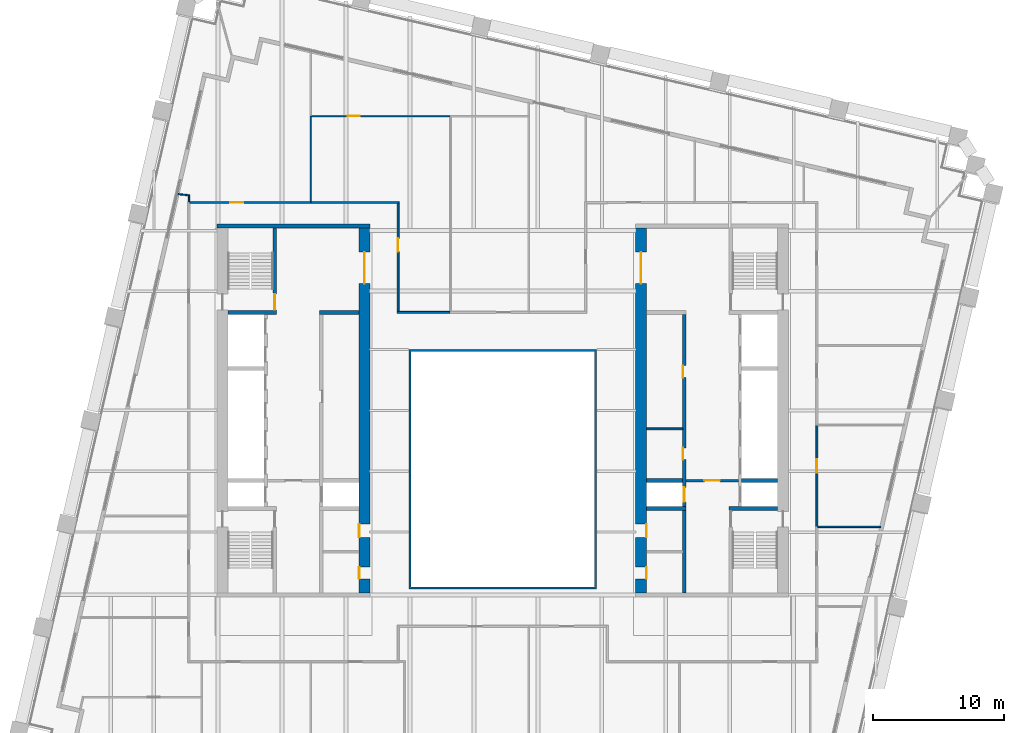
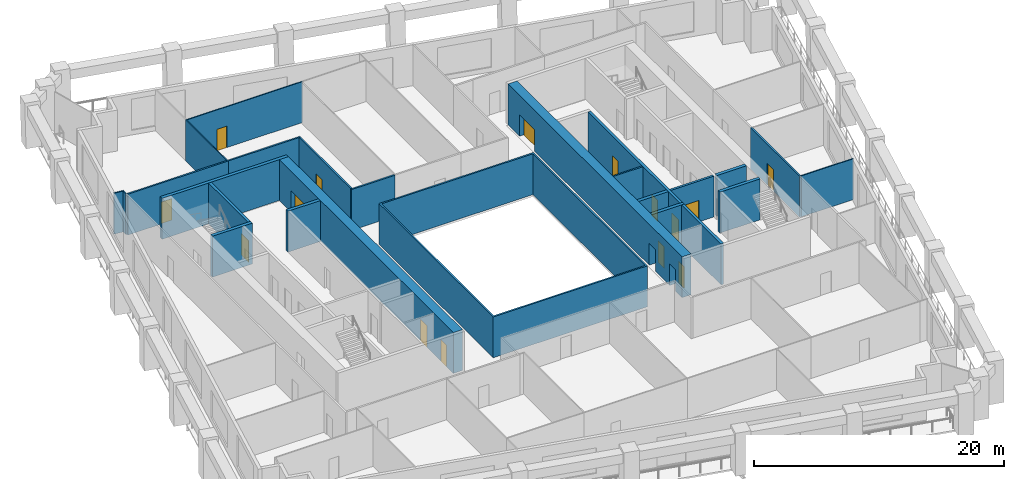
# One storey, part 6 of 9: 24 walls, 15 doors, 15 openings.
"""IFC4 building model written with IfcOpenShell, lengths in metres."""

from ifc_helpers import new_model, si_unit, direction, frame, frame_2d, origin, place, context, subcontext, project, spatial, polyline, rectangle, outline, extrude, material, layer, layer_set, type_object, element, fill, save


model = new_model("IFC4")

# Units and contexts
model_context = context("Model", 3, precision=1e-05, world=origin(), true_north=direction((0.0, 1.0)))
body_context = subcontext(model_context, "Body", "Model", "MODEL_VIEW")
ifc_project = project(units=[si_unit("LENGTHUNIT", "METRE"), si_unit("AREAUNIT", "SQUARE_METRE"), si_unit("VOLUMEUNIT", "CUBIC_METRE"), si_unit("PLANEANGLEUNIT", "RADIAN"), si_unit("MASSUNIT", "GRAM", prefix="KILO")], contexts=[model_context])

# Site, building, storey
site_placement = place(None, origin())
site = spatial("IfcSite", under=ifc_project, at=site_placement, CompositionType="ELEMENT")
building_placement = place(site_placement, origin())
building = spatial("IfcBuilding", under=site, at=building_placement, Name="Ogive Exchange Tower", CompositionType="ELEMENT")
storey_placement = place(building_placement, frame((0.0, 0.0, 122.39990234375)))
storey = spatial("IfcBuildingStorey", under=building, at=storey_placement, Name="L26", CompositionType="ELEMENT", Elevation=122.39990234375)

# Walls
ifc_material_1 = material(Name="Gypsum board partition")
ifc_layer_1 = layer(ifc_material_1, 0.14990234375)
ifc_layer_set_1 = layer_set([ifc_layer_1], Name="Core room partition 150 gypsum")
wall_type_1 = type_object("IfcWallType", Name="Core room partition 150 gypsum", PredefinedType="PARTITIONING", material=ifc_layer_set_1)
wall_1_placement = place(storey_placement, frame((11.0, 10.10009765625, 0.0), z_axis=(0.0, 0.0, 1.0), x_axis=(1.0, 0.0, 0.0)))
element("IfcWall", 1, at=wall_1_placement, inside=storey, type_object=wall_type_1, Name="E row B bay partition 1-1", PredefinedType="PARTITIONING", context=body_context, shape_type="SweptSolid", body=[
    extrude(rectangle(XDim=2.75, YDim=0.14990234375, at=frame_2d((1.375, 0.0))), origin(), (0.0, 0.0, 1.0), 4.0),
])
ifc_layer_2 = layer(ifc_material_1, 0.300048828125)
ifc_layer_set_2 = layer_set([ifc_layer_2], Name="Core room partition 300 gypsum")
wall_type_2 = type_object("IfcWallType", Name="Core room partition 300 gypsum", PredefinedType="PARTITIONING", material=ifc_layer_set_2)
wall_2_placement = place(storey_placement, frame((-14.0, 19.0, 0.0), z_axis=(0.0, 0.0, 1.0), x_axis=(1.0, 0.0, 0.0)))
element("IfcWall", 2, at=wall_2_placement, inside=storey, type_object=wall_type_2, Name="W row B room end wall 7", PredefinedType="PARTITIONING", context=body_context, shape_type="SweptSolid", body=[
    extrude(rectangle(XDim=3.0, YDim=0.300048828125, at=frame_2d((1.5, 0.0))), origin(), (0.0, 0.0, 1.0), 4.0),
])

# Wall, opening, door
ifc_material_2 = material(Name="Fire partition EI 60 150")
ifc_layer_3 = layer(ifc_material_2, 0.14990234375)
ifc_layer_set_3 = layer_set([ifc_layer_3], Name="Fire partition EI 60 150")
wall_type_3 = type_object("IfcWallType", Name="Fire partition EI 60 150", PredefinedType="PARTITIONING", material=ifc_layer_set_3)
wall_3_placement = place(storey_placement, frame((-23.9150390625, 27.39990234375, 0.0), z_axis=(0.0, 0.0, 1.0), x_axis=(1.0, 0.0, 0.0)))
wall_3 = element("IfcWall", 3, at=wall_3_placement, inside=storey, type_object=wall_type_3, Name="L26-PWL-009", PredefinedType="PARTITIONING", context=body_context, shape_type="SweptSolid", body=[
    extrude(rectangle(XDim=9.294921875, YDim=0.14990234375, at=frame_2d((4.6474609375, 0.0))), origin(), (0.0, 0.0, 1.0), 4.0),
])
opening_1_placement = place(wall_3_placement, frame((3.094970703125, 0.0, 0.0)))
opening_1 = element("IfcOpeningElement", 4, at=opening_1_placement, cuts=wall_3, Name="Opening L26-I18", PredefinedType="OPENING", context=body_context, shape_type="SweptSolid", body=[
    extrude(rectangle(XDim=1.0, YDim=2.10009765625, at=frame_2d((0.5, 1.050048828125))), frame((0.0, 0.0849609375, 0.0), z_axis=(0.0, -1.0, 0.0), x_axis=(1.0, 0.0, 0.0)), (0.0, 0.0, 1.0), 0.169921875),
])
ifc_material_3 = material(Name="Fire door FD 30S 1000 x 2100")
door_type_1 = type_object("IfcDoorType", Name="Fire door FD 30S 1000 x 2100", OperationType="NOTDEFINED", PredefinedType="DOOR", material=ifc_material_3)
door_1_placement = place(opening_1_placement, origin())
door_1 = element("IfcDoor", 5, at=door_1_placement, inside=storey, type_object=door_type_1, Name="L26-IDR-018", ObjectType="DT3", OperationType="SINGLE_SWING_RIGHT", OverallHeight=2.10009765625, OverallWidth=1.0, PredefinedType="DOOR", context=body_context, shape_type="SweptSolid", body=[
    extrude(rectangle(XDim=1.0, YDim=2.10009765625, at=frame_2d((0.5, 1.050048828125))), frame((0.0, 0.02490234375, 0.0), z_axis=(0.0, -1.0, 0.0), x_axis=(1.0, 0.0, 0.0)), (0.0, 0.0, 1.0), 0.050048828125),
])
fill(opening_1, door_1)

# Walls
wall_4_placement = place(storey_placement, frame((-14.6201171875, 27.39990234375, 0.0), z_axis=(0.0, 0.0, 1.0), x_axis=(1.0, 0.0, 0.0)))
element("IfcWall", 6, at=wall_4_placement, inside=storey, type_object=wall_type_3, Name="L26-PWL-019", PredefinedType="PARTITIONING", context=body_context, shape_type="SweptSolid", body=[
    extrude(rectangle(XDim=6.695068359375, YDim=0.14990234375, at=frame_2d((3.34765625, 0.0))), origin(), (0.0, 0.0, 1.0), 4.0),
])
wall_5_placement = place(storey_placement, frame((-8.074951171875, 19.0, 0.0), z_axis=(0.0, 0.0, 1.0), x_axis=(1.0, 0.0, 0.0)))
element("IfcWall", 7, at=wall_5_placement, inside=storey, type_object=wall_type_3, Name="L26-PWL-022", PredefinedType="PARTITIONING", context=body_context, shape_type="SweptSolid", body=[
    extrude(rectangle(XDim=4.02490234375, YDim=0.14990234375, at=frame_2d((2.012451171875, 0.0))), origin(), (0.0, 0.0, 1.0), 4.0),
])

# Wall, opening, door
wall_6_placement = place(storey_placement, frame((-8.0, 27.324951171875, 0.0), z_axis=(0.0, 0.0, 1.0), x_axis=(0.0, -1.0, 0.0)))
wall_6 = element("IfcWall", 8, at=wall_6_placement, inside=storey, type_object=wall_type_3, Name="L26-PWL-023", PredefinedType="PARTITIONING", context=body_context, shape_type="SweptSolid", body=[
    extrude(rectangle(XDim=8.25, YDim=0.14990234375, at=frame_2d((4.125, 0.0))), origin(), (0.0, 0.0, 1.0), 4.0),
])
opening_2_placement = place(wall_6_placement, frame((2.675048828125, 0.0, 0.0)))
opening_2 = element("IfcOpeningElement", 9, at=opening_2_placement, cuts=wall_6, Name="Opening L26-I10", PredefinedType="OPENING", context=body_context, shape_type="SweptSolid", body=[
    extrude(rectangle(XDim=1.0, YDim=2.10009765625, at=frame_2d((0.5, 1.050048828125))), frame((0.0, 0.0849609375, 0.0), z_axis=(0.0, -1.0, 0.0), x_axis=(1.0, 0.0, 0.0)), (0.0, 0.0, 1.0), 0.169921875),
])
door_2_placement = place(opening_2_placement, origin())
door_2 = element("IfcDoor", 10, at=door_2_placement, inside=storey, type_object=door_type_1, Name="L26-IDR-010", ObjectType="DT3", OperationType="SINGLE_SWING_LEFT", OverallHeight=2.10009765625, OverallWidth=1.0, PredefinedType="DOOR", context=body_context, shape_type="SweptSolid", body=[
    extrude(rectangle(XDim=1.0, YDim=2.10009765625, at=frame_2d((0.5, 1.050048828125))), frame((0.0, 0.02490234375, 0.0), z_axis=(0.0, -1.0, 0.0), x_axis=(1.0, 0.0, 0.0)), (0.0, 0.0, 1.0), 0.050048828125),
])
fill(opening_2, door_2)

wall_7_placement = place(storey_placement, frame((24.0, 10.43994140625, 0.0), z_axis=(0.0, 0.0, 1.0), x_axis=(0.0, -1.0, 0.0)))
wall_7 = element("IfcWall", 11, at=wall_7_placement, inside=storey, type_object=wall_type_3, Name="L26-PWL-061", PredefinedType="PARTITIONING", context=body_context, shape_type="SweptSolid", body=[
    extrude(rectangle(XDim=7.829833984375, YDim=0.14990234375, at=frame_2d((3.9150390625, 0.0))), origin(), (0.0, 0.0, 1.0), 4.0),
])
opening_3_placement = place(wall_7_placement, frame((2.679931640625, 0.0, 0.0)))
opening_3 = element("IfcOpeningElement", 12, at=opening_3_placement, cuts=wall_7, Name="Opening L26-I13", PredefinedType="OPENING", context=body_context, shape_type="SweptSolid", body=[
    extrude(rectangle(XDim=1.0, YDim=2.10009765625, at=frame_2d((0.5, 1.050048828125))), frame((0.0, 0.0849609375, 0.0), z_axis=(0.0, -1.0, 0.0), x_axis=(1.0, 0.0, 0.0)), (0.0, 0.0, 1.0), 0.169921875),
])
door_3_placement = place(opening_3_placement, origin())
door_3 = element("IfcDoor", 13, at=door_3_placement, inside=storey, type_object=door_type_1, Name="L26-IDR-013", ObjectType="DT3", OperationType="SINGLE_SWING_RIGHT", OverallHeight=2.10009765625, OverallWidth=1.0, PredefinedType="DOOR", context=body_context, shape_type="SweptSolid", body=[
    extrude(rectangle(XDim=1.0, YDim=2.10009765625, at=frame_2d((0.5, 1.050048828125))), frame((0.0, 0.02490234375, 0.0), z_axis=(0.0, -1.0, 0.0), x_axis=(1.0, 0.0, 0.0)), (0.0, 0.0, 1.0), 0.050048828125),
])
fill(opening_3, door_3)

# Walls
ifc_material_4 = material(Name="Fire-resisting glass in steel frame", Category="steel")
ifc_layer_4 = layer(ifc_material_4, 0.14990234375)
ifc_layer_set_4 = layer_set([ifc_layer_4], Name="Fire-rated glazed wall 150")
wall_type_4 = type_object("IfcWallType", Name="Fire-rated glazed wall 150", PredefinedType="STANDARD", material=ifc_layer_set_4)
wall_8_placement = place(storey_placement, origin())
element("IfcWall", 14, at=wall_8_placement, inside=storey, type_object=wall_type_4, Name="Nave enclosure wall", PredefinedType="STANDARD", context=body_context, shape_type="SweptSolid", body=[
    extrude(outline(polyline([(-7.14990234375, -2.14990234375), (7.14990234375, -2.14990234375), (7.14990234375, 16.14990234375), (-7.14990234375, 16.14990234375), (-7.14990234375, -2.14990234375)]), holes=[polyline([(-7.0, -2.0), (-7.0, 16.0), (7.0, 16.0), (7.0, -2.0), (-7.0, -2.0)])]), origin(), (0.0, 0.0, 1.0), 4.0),
])
ifc_material_5 = material(Name="Partition 100 gypsum")
ifc_layer_5 = layer(ifc_material_5, 0.10009765625)
ifc_layer_set_5 = layer_set([ifc_layer_5], Name="Partition 100 gypsum")
wall_type_5 = type_object("IfcWallType", Name="Partition 100 gypsum", PredefinedType="PARTITIONING", material=ifc_layer_set_5)
wall_9_placement = place(storey_placement, frame((-24.820068359375, 28.044921875, 0.0), z_axis=(0.0, 0.0, 1.0), x_axis=(0.993501545499, -0.113818623659, 0.0)))
element("IfcWall", 15, at=wall_9_placement, inside=storey, type_object=wall_type_5, Name="L26-PWL-002", PredefinedType="PARTITIONING", context=body_context, shape_type="SweptSolid", body=[
    extrude(rectangle(XDim=0.885986328125, YDim=0.10009765625, at=frame_2d((0.44287109375, 0.0))), origin(), (0.0, 0.0, 1.0), 4.0),
])
wall_10_placement = place(storey_placement, frame((-23.989990234375, 27.47509765625, 0.0), z_axis=(0.0, 0.0, 1.0), x_axis=(0.0, 1.0, 0.0)))
element("IfcWall", 16, at=wall_10_placement, inside=storey, type_object=wall_type_5, Name="L26-PWL-008", PredefinedType="PARTITIONING", context=body_context, shape_type="SweptSolid", body=[
    extrude(rectangle(XDim=0.4248046875, YDim=0.10009765625, at=frame_2d((0.21240234375, 0.0))), origin(), (0.0, 0.0, 1.0), 4.0),
])
wall_11_placement = place(storey_placement, frame((-14.669921875, 27.47509765625, 0.0), z_axis=(0.0, 0.0, 1.0), x_axis=(0.0, 1.0, 0.0)))
element("IfcWall", 17, at=wall_11_placement, inside=storey, type_object=wall_type_5, Name="L26-PWL-018", PredefinedType="PARTITIONING", context=body_context, shape_type="SweptSolid", body=[
    extrude(rectangle(XDim=6.574951171875, YDim=0.10009765625, at=frame_2d((3.28759765625, 0.0))), origin(), (0.0, 0.0, 1.0), 4.0),
])

# Wall, opening, door
wall_12_placement = place(storey_placement, frame((-3.949951171875, 34.0, 0.0), z_axis=(0.0, 0.0, 1.0), x_axis=(-1.0, 0.0, 0.0)))
wall_12 = element("IfcWall", 18, at=wall_12_placement, inside=storey, type_object=wall_type_5, Name="L26-PWL-029", PredefinedType="PARTITIONING", context=body_context, shape_type="SweptSolid", body=[
    extrude(rectangle(XDim=10.670166015625, YDim=0.10009765625, at=frame_2d((5.3349609375, 0.0))), origin(), (0.0, 0.0, 1.0), 4.0),
])
opening_4_placement = place(wall_12_placement, frame((7.0, 0.0, 0.0)))
opening_4 = element("IfcOpeningElement", 19, at=opening_4_placement, cuts=wall_12, Name="Opening L26-I09", PredefinedType="OPENING", context=body_context, shape_type="SweptSolid", body=[
    extrude(rectangle(XDim=0.89990234375, YDim=2.10009765625, at=frame_2d((0.449951171875, 1.050048828125))), frame((0.0, 0.06005859375, 0.0), z_axis=(0.0, -1.0, 0.0), x_axis=(1.0, 0.0, 0.0)), (0.0, 0.0, 1.0), 0.1201171875),
])
ifc_material_6 = material(Name="Door 900 x 2100")
door_type_2 = type_object("IfcDoorType", Name="Door 900 x 2100", OperationType="NOTDEFINED", PredefinedType="DOOR", material=ifc_material_6)
door_4_placement = place(opening_4_placement, frame((0.89990234375, 0.0, 0.0), z_axis=(0.0, 0.0, 1.0), x_axis=(-1.0, 0.0, 0.0)))
door_4 = element("IfcDoor", 20, at=door_4_placement, inside=storey, type_object=door_type_2, Name="L26-IDR-009", ObjectType="DT1", OperationType="SINGLE_SWING_RIGHT", OverallHeight=2.10009765625, OverallWidth=0.89990234375, PredefinedType="DOOR", context=body_context, shape_type="SweptSolid", body=[
    extrude(rectangle(XDim=0.89990234375, YDim=2.10009765625, at=frame_2d((0.449951171875, 1.050048828125))), frame((0.0, 0.02490234375, 0.0), z_axis=(0.0, -1.0, 0.0), x_axis=(1.0, 0.0, 0.0)), (0.0, 0.0, 1.0), 0.050048828125),
])
fill(opening_4, door_4)

# Wall
wall_13_placement = place(storey_placement, frame((24.074951171875, 2.610107421875, 0.0), z_axis=(0.0, 0.0, 1.0), x_axis=(1.0, 0.0, 0.0)))
element("IfcWall", 21, at=wall_13_placement, inside=storey, type_object=wall_type_5, Name="L26-PWL-060", PredefinedType="PARTITIONING", context=body_context, shape_type="SweptSolid", body=[
    extrude(rectangle(XDim=4.821044921875, YDim=0.10009765625, at=frame_2d((2.41064453125, 0.0))), origin(), (0.0, 0.0, 1.0), 4.0),
])

# Wall, opening, door
ifc_material_7 = material(Name="Concrete C70/85", Category="concrete")
ifc_layer_6 = layer(ifc_material_7, 0.199951171875)
ifc_layer_set_6 = layer_set([ifc_layer_6], Name="RC core wall 200 C70/85")
wall_type_6 = type_object("IfcWallType", Name="RC core wall 200 C70/85", PredefinedType="SHEAR", material=ifc_layer_set_6)
wall_14_placement = place(storey_placement, frame((14.0, 6.142822265625, 0.0), z_axis=(0.0, 0.0, 1.0), x_axis=(1.0, 0.0, 0.0)))
wall_14 = element("IfcWall", 22, at=wall_14_placement, inside=storey, type_object=wall_type_6, Name="E firefighting lobby wall", PredefinedType="SHEAR", context=body_context, shape_type="SweptSolid", body=[
    extrude(rectangle(XDim=4.0, YDim=0.199951171875, at=frame_2d((2.0, 0.0))), origin(), (0.0, 0.0, 1.0), 4.0),
])
opening_5_placement = place(wall_14_placement, frame((1.39990234375, 0.0, 0.0)))
opening_5 = element("IfcOpeningElement", 23, at=opening_5_placement, cuts=wall_14, Name="Opening L26-C28", PredefinedType="OPENING", context=body_context, shape_type="SweptSolid", body=[
    extrude(rectangle(XDim=1.199951171875, YDim=2.10009765625, at=frame_2d((0.60009765625, 1.050048828125))), frame((0.0, 0.10986328125, 0.0), z_axis=(0.0, -1.0, 0.0), x_axis=(1.0, 0.0, 0.0)), (0.0, 0.0, 1.0), 0.219970703125),
])
ifc_material_8 = material(Name="Steel fire door", Category="steel")
door_type_3 = type_object("IfcDoorType", Name="Firefighting lobby door FD60 1200 x 2100", OperationType="NOTDEFINED", PredefinedType="DOOR", material=ifc_material_8)
door_5_placement = place(opening_5_placement, frame((1.199951171875, 0.0, 0.0), z_axis=(0.0, 0.0, 1.0), x_axis=(-1.0, 0.0, 0.0)))
door_5 = element("IfcDoor", 24, at=door_5_placement, inside=storey, type_object=door_type_3, Name="Firefighting lobby door", ObjectType="CD3", OperationType="SINGLE_SWING_LEFT", OverallHeight=2.10009765625, OverallWidth=1.199951171875, PredefinedType="DOOR", context=body_context, shape_type="SweptSolid", body=[
    extrude(rectangle(XDim=1.199951171875, YDim=2.10009765625, at=frame_2d((0.60009765625, 1.050048828125))), frame((0.0, 0.02490234375, 0.0), z_axis=(0.0, -1.0, 0.0), x_axis=(1.0, 0.0, 0.0)), (0.0, 0.0, 1.0), 0.050048828125),
])
fill(opening_5, door_5)

ifc_layer_7 = layer(ifc_material_7, 0.25)
ifc_layer_set_7 = layer_set([ifc_layer_7], Name="RC core wall 250 C70/85")
wall_type_7 = type_object("IfcWallType", Name="RC core wall 250 C70/85", PredefinedType="SHEAR", material=ifc_layer_set_7)
wall_15_placement = place(storey_placement, frame((-17.425048828125, 19.14990234375, 0.0), z_axis=(0.0, 0.0, 1.0), x_axis=(0.0, 1.0, 0.0)))
wall_15 = element("IfcWall", 25, at=wall_15_placement, inside=storey, type_object=wall_type_7, Name="W stair N front wall", PredefinedType="SHEAR", context=body_context, shape_type="SweptSolid", body=[
    extrude(rectangle(XDim=6.300048828125, YDim=0.25, at=frame_2d((3.14990234375, 0.0))), origin(), (0.0, 0.0, 1.0), 4.0),
])
opening_6_placement = place(wall_15_placement, frame((0.050048828125, 0.0, 0.0)))
opening_6 = element("IfcOpeningElement", 26, at=opening_6_placement, cuts=wall_15, Name="Opening L26-C14", PredefinedType="OPENING", context=body_context, shape_type="SweptSolid", body=[
    extrude(rectangle(XDim=1.199951171875, YDim=2.10009765625, at=frame_2d((0.60009765625, 1.050048828125))), frame((0.0, 0.135009765625, 0.0), z_axis=(0.0, -1.0, 0.0), x_axis=(1.0, 0.0, 0.0)), (0.0, 0.0, 1.0), 0.27001953125),
])
door_type_4 = type_object("IfcDoorType", Name="Stair door FD90 1200 x 2100", OperationType="NOTDEFINED", PredefinedType="DOOR", material=ifc_material_8)
door_6_placement = place(opening_6_placement, origin())
door_6 = element("IfcDoor", 27, at=door_6_placement, inside=storey, type_object=door_type_4, Name="Stair door", ObjectType="CD5", OperationType="SINGLE_SWING_RIGHT", OverallHeight=2.10009765625, OverallWidth=1.199951171875, PredefinedType="DOOR", context=body_context, shape_type="SweptSolid", body=[
    extrude(rectangle(XDim=1.199951171875, YDim=2.10009765625, at=frame_2d((0.60009765625, 1.050048828125))), frame((0.0, 0.02490234375, 0.0), z_axis=(0.0, -1.0, 0.0), x_axis=(1.0, 0.0, 0.0)), (0.0, 0.0, 1.0), 0.050048828125),
])
fill(opening_6, door_6)

# Wall, openings, doors
wall_16_placement = place(storey_placement, frame((13.875, -2.449951171875, 0.0), z_axis=(0.0, 0.0, 1.0), x_axis=(0.0, 1.0, 0.0)))
wall_16 = element("IfcWall", 28, at=wall_16_placement, inside=storey, type_object=wall_type_7, Name="E row B front wall", PredefinedType="SHEAR", context=body_context, shape_type="SweptSolid", body=[
    extrude(rectangle(XDim=21.300048828125, YDim=0.25, at=frame_2d((10.64990234375, 0.0))), origin(), (0.0, 0.0, 1.0), 4.0),
])
opening_7_placement = place(wall_16_placement, frame((10.1962890625, 0.0, 0.0)))
opening_7 = element("IfcOpeningElement", 29, at=opening_7_placement, cuts=wall_16, Name="Opening L26-C25", PredefinedType="OPENING", context=body_context, shape_type="SweptSolid", body=[
    extrude(rectangle(XDim=0.89990234375, YDim=2.10009765625, at=frame_2d((0.449951171875, 1.050048828125))), frame((0.0, 0.135009765625, 0.0), z_axis=(0.0, -1.0, 0.0), x_axis=(1.0, 0.0, 0.0)), (0.0, 0.0, 1.0), 0.27001953125),
])
opening_8_placement = place(wall_16_placement, frame((16.47509765625, 0.0, 0.0)))
opening_8 = element("IfcOpeningElement", 30, at=opening_8_placement, cuts=wall_16, Name="Opening L26-C26", PredefinedType="OPENING", context=body_context, shape_type="SweptSolid", body=[
    extrude(rectangle(XDim=0.89990234375, YDim=2.10009765625, at=frame_2d((0.449951171875, 1.050048828125))), frame((0.0, 0.135009765625, 0.0), z_axis=(0.0, -1.0, 0.0), x_axis=(1.0, 0.0, 0.0)), (0.0, 0.0, 1.0), 0.27001953125),
])
opening_9_placement = place(wall_16_placement, frame((6.971435546875, 0.0, 0.0)))
opening_9 = element("IfcOpeningElement", 31, at=opening_9_placement, cuts=wall_16, Name="Opening L26-C27", PredefinedType="OPENING", context=body_context, shape_type="SweptSolid", body=[
    extrude(rectangle(XDim=1.10009765625, YDim=2.10009765625, at=frame_2d((0.550048828125, 1.050048828125))), frame((0.0, 0.135009765625, 0.0), z_axis=(0.0, -1.0, 0.0), x_axis=(1.0, 0.0, 0.0)), (0.0, 0.0, 1.0), 0.27001953125),
])
ifc_material_9 = material(Name="Stainless steel", Category="steel")
door_type_5 = type_object("IfcDoorType", Name="Lift landing door FD90 1100 x 2100", OperationType="SLIDING_TO_LEFT", PredefinedType="DOOR", material=ifc_material_9)
door_7_placement = place(opening_9_placement, origin())
door_7 = element("IfcDoor", 32, at=door_7_placement, inside=storey, type_object=door_type_5, Name="Lift landing door SV2", ObjectType="LD", OperationType="SLIDING_TO_LEFT", OverallHeight=2.10009765625, OverallWidth=1.10009765625, PredefinedType="DOOR", context=body_context, shape_type="SweptSolid", body=[
    extrude(rectangle(XDim=1.10009765625, YDim=2.10009765625, at=frame_2d((0.550048828125, 1.050048828125))), frame((0.0, 0.02490234375, 0.0), z_axis=(0.0, -1.0, 0.0), x_axis=(1.0, 0.0, 0.0)), (0.0, 0.0, 1.0), 0.050048828125),
])
fill(opening_9, door_7)
door_type_6 = type_object("IfcDoorType", Name="Riser door FD60 900 x 2100", OperationType="NOTDEFINED", PredefinedType="DOOR", material=ifc_material_8)
door_8_placement = place(opening_7_placement, origin())
door_8 = element("IfcDoor", 33, at=door_8_placement, inside=storey, type_object=door_type_6, Name="Riser door", ObjectType="CD2", OperationType="SINGLE_SWING_LEFT", OverallHeight=2.10009765625, OverallWidth=0.89990234375, PredefinedType="DOOR", context=body_context, shape_type="SweptSolid", body=[
    extrude(rectangle(XDim=0.89990234375, YDim=2.10009765625, at=frame_2d((0.449951171875, 1.050048828125))), frame((0.0, 0.125, 0.0), z_axis=(0.0, -1.0, 0.0), x_axis=(1.0, 0.0, 0.0)), (0.0, 0.0, 1.0), 0.050048828125),
])
fill(opening_7, door_8)
door_9_placement = place(opening_8_placement, origin())
door_9 = element("IfcDoor", 34, at=door_9_placement, inside=storey, type_object=door_type_6, Name="Riser door", ObjectType="CD2", OperationType="SINGLE_SWING_LEFT", OverallHeight=2.10009765625, OverallWidth=0.89990234375, PredefinedType="DOOR", context=body_context, shape_type="SweptSolid", body=[
    extrude(rectangle(XDim=0.89990234375, YDim=2.10009765625, at=frame_2d((0.449951171875, 1.050048828125))), frame((0.0, 0.125, 0.0), z_axis=(0.0, -1.0, 0.0), x_axis=(1.0, 0.0, 0.0)), (0.0, 0.0, 1.0), 0.050048828125),
])
fill(opening_8, door_9)

# Walls
ifc_layer_8 = layer(ifc_material_7, 0.300048828125)
ifc_layer_set_8 = layer_set([ifc_layer_8], Name="RC core wall 300 C70/85")
wall_type_8 = type_object("IfcWallType", Name="RC core wall 300 C70/85", PredefinedType="SHEAR", material=ifc_layer_set_8)
wall_17_placement = place(storey_placement, frame((-21.85009765625, 25.60009765625, 0.0), z_axis=(0.0, 0.0, 1.0), x_axis=(1.0, 0.0, 0.0)))
element("IfcWall", 35, at=wall_17_placement, inside=storey, type_object=wall_type_8, Name="W north end wall", PredefinedType="SHEAR", context=body_context, shape_type="SweptSolid", body=[
    extrude(rectangle(XDim=11.7001953125, YDim=0.300048828125, at=frame_2d((5.85009765625, 0.0))), origin(), (0.0, 0.0, 1.0), 4.0),
])
for number, where, z_axis, x_axis, name in (
    (36, (-21.0, 19.0, 0.0), (0.0, 0.0, 1.0), (1.0, 0.0, 0.0), "W stair N south wall"),
    (37, (17.300048828125, 4.0, 0.0), (0.0, 0.0, 1.0), (1.0, 0.0, 0.0), "E stair S north wall"),
):
    element("IfcWall", number, at=place(storey_placement, frame(where, z_axis=z_axis, x_axis=x_axis)), inside=storey, type_object=wall_type_8, Name=name, PredefinedType="SHEAR", context=body_context, shape_type="SweptSolid", body=[
        extrude(rectangle(XDim=3.699951171875, YDim=0.300048828125, at=frame_2d((1.85009765625, 0.0))), origin(), (0.0, 0.0, 1.0), 4.0),
    ])
wall_18_placement = place(storey_placement, frame((18.25, 6.142822265625, 0.0), z_axis=(0.0, 0.0, 1.0), x_axis=(1.0, 0.0, 0.0)))
element("IfcWall", 38, at=wall_18_placement, inside=storey, type_object=wall_type_8, Name="E row A divider 1", PredefinedType="SHEAR", context=body_context, shape_type="SweptSolid", body=[
    extrude(rectangle(XDim=2.75, YDim=0.300048828125, at=frame_2d((1.375, 0.0))), origin(), (0.0, 0.0, 1.0), 4.0),
])
wall_19_placement = place(storey_placement, frame((11.0, 4.0, 0.0), z_axis=(0.0, 0.0, 1.0), x_axis=(1.0, 0.0, 0.0)))
element("IfcWall", 39, at=wall_19_placement, inside=storey, type_object=wall_type_8, Name="E row B divider 0", PredefinedType="SHEAR", context=body_context, shape_type="SweptSolid", body=[
    extrude(rectangle(XDim=3.0, YDim=0.300048828125, at=frame_2d((1.5, 0.0))), origin(), (0.0, 0.0, 1.0), 4.0),
])
wall_20_placement = place(storey_placement, frame((11.0, 6.142822265625, 0.0), z_axis=(0.0, 0.0, 1.0), x_axis=(1.0, 0.0, 0.0)))
element("IfcWall", 40, at=wall_20_placement, inside=storey, type_object=wall_type_8, Name="E row B divider 1", PredefinedType="SHEAR", context=body_context, shape_type="SweptSolid", body=[
    extrude(rectangle(XDim=2.75, YDim=0.300048828125, at=frame_2d((1.375, 0.0))), origin(), (0.0, 0.0, 1.0), 4.0),
])

# Wall, openings, doors
ifc_layer_9 = layer(ifc_material_7, 0.85009765625)
ifc_layer_set_9 = layer_set([ifc_layer_9], Name="RC core wall 850 C70/85")
wall_type_9 = type_object("IfcWallType", Name="RC core wall 850 C70/85", PredefinedType="SHEAR", material=ifc_layer_set_9)
wall_21_placement = place(storey_placement, frame((-10.574951171875, -2.449951171875, 0.0), z_axis=(0.0, 0.0, 1.0), x_axis=(0.0, 1.0, 0.0)))
wall_21 = element("IfcWall", 41, at=wall_21_placement, inside=storey, type_object=wall_type_9, Name="W inner wall", PredefinedType="SHEAR", context=body_context, shape_type="SweptSolid", body=[
    extrude(rectangle(XDim=27.89990234375, YDim=0.85009765625, at=frame_2d((13.949951171875, 0.0))), origin(), (0.0, 0.0, 1.0), 4.0),
])
opening_10_placement = place(wall_21_placement, frame((23.64990234375, 0.0, 0.0)))
opening_10 = element("IfcOpeningElement", 42, at=opening_10_placement, cuts=wall_21, Name="Opening L26-C11", PredefinedType="OPENING", context=body_context, shape_type="SweptSolid", body=[
    extrude(rectangle(XDim=2.39990234375, YDim=2.10009765625, at=frame_2d((1.199951171875, 1.050048828125))), frame((0.0, 0.43505859375, 0.0), z_axis=(0.0, -1.0, 0.0), x_axis=(1.0, 0.0, 0.0)), (0.0, 0.0, 1.0), 0.8701171875),
])
opening_11_placement = place(wall_21_placement, frame((1.08740234375, 0.0, 0.0)))
opening_11 = element("IfcOpeningElement", 43, at=opening_11_placement, cuts=wall_21, Name="Opening L26-C16", PredefinedType="OPENING", context=body_context, shape_type="SweptSolid", body=[
    extrude(rectangle(XDim=0.89990234375, YDim=2.10009765625, at=frame_2d((0.449951171875, 1.050048828125))), frame((0.0, 0.43505859375, 0.0), z_axis=(0.0, -1.0, 0.0), x_axis=(1.0, 0.0, 0.0)), (0.0, 0.0, 1.0), 0.8701171875),
])
opening_12_placement = place(wall_21_placement, frame((4.262451171875, 0.0, 0.0)))
opening_12 = element("IfcOpeningElement", 44, at=opening_12_placement, cuts=wall_21, Name="Opening L26-C17", PredefinedType="OPENING", context=body_context, shape_type="SweptSolid", body=[
    extrude(rectangle(XDim=1.0, YDim=2.10009765625, at=frame_2d((0.5, 1.050048828125))), frame((0.0, 0.43505859375, 0.0), z_axis=(0.0, -1.0, 0.0), x_axis=(1.0, 0.0, 0.0)), (0.0, 0.0, 1.0), 0.8701171875),
])
ifc_material_10 = material(Name="Timber fire door", Category="wood")
door_type_7 = type_object("IfcDoorType", Name="Accessible WC door FD30S 1000 x 2100", OperationType="NOTDEFINED", PredefinedType="DOOR", material=ifc_material_10)
door_10_placement = place(opening_12_placement, origin())
door_10 = element("IfcDoor", 45, at=door_10_placement, inside=storey, type_object=door_type_7, Name="Accessible WC door", ObjectType="CD7", OperationType="SINGLE_SWING_RIGHT", OverallHeight=2.10009765625, OverallWidth=1.0, PredefinedType="DOOR", context=body_context, shape_type="SweptSolid", body=[
    extrude(rectangle(XDim=1.0, YDim=2.10009765625, at=frame_2d((0.5, 1.050048828125))), frame((0.0, 0.4248046875, 0.0), z_axis=(0.0, -1.0, 0.0), x_axis=(1.0, 0.0, 0.0)), (0.0, 0.0, 1.0), 0.050048828125),
])
fill(opening_12, door_10)
door_type_8 = type_object("IfcDoorType", Name="Core room door FD30S 900 x 2100", OperationType="NOTDEFINED", PredefinedType="DOOR", material=ifc_material_10)
door_11_placement = place(opening_11_placement, origin())
door_11 = element("IfcDoor", 46, at=door_11_placement, inside=storey, type_object=door_type_8, Name="Core room door", ObjectType="CD6", OperationType="SINGLE_SWING_RIGHT", OverallHeight=2.10009765625, OverallWidth=0.89990234375, PredefinedType="DOOR", context=body_context, shape_type="SweptSolid", body=[
    extrude(rectangle(XDim=0.89990234375, YDim=2.10009765625, at=frame_2d((0.449951171875, 1.050048828125))), frame((0.0, 0.4248046875, 0.0), z_axis=(0.0, -1.0, 0.0), x_axis=(1.0, 0.0, 0.0)), (0.0, 0.0, 1.0), 0.050048828125),
])
fill(opening_11, door_11)
ifc_material_11 = material(Name="Glazed steel fire door", Category="steel")
door_type_9 = type_object("IfcDoorType", Name="Lift lobby double door FD60 2400 x 2100", OperationType="DOUBLE_DOOR_SINGLE_SWING", PredefinedType="DOOR", material=ifc_material_11)
door_12_placement = place(opening_10_placement, origin())
door_12 = element("IfcDoor", 47, at=door_12_placement, inside=storey, type_object=door_type_9, Name="Lift lobby double door", ObjectType="CD4", OperationType="DOUBLE_DOOR_SINGLE_SWING", OverallHeight=2.10009765625, OverallWidth=2.39990234375, PredefinedType="DOOR", context=body_context, shape_type="SweptSolid", body=[
    extrude(rectangle(XDim=2.39990234375, YDim=2.10009765625, at=frame_2d((1.199951171875, 1.050048828125))), frame((0.0, 0.02490234375, 0.0), z_axis=(0.0, -1.0, 0.0), x_axis=(1.0, 0.0, 0.0)), (0.0, 0.0, 1.0), 0.050048828125),
])
fill(opening_10, door_12)

wall_22_placement = place(storey_placement, frame((10.574951171875, -2.449951171875, 0.0), z_axis=(0.0, 0.0, 1.0), x_axis=(0.0, 1.0, 0.0)))
wall_22 = element("IfcWall", 48, at=wall_22_placement, inside=storey, type_object=wall_type_9, Name="E inner wall", PredefinedType="SHEAR", context=body_context, shape_type="SweptSolid", body=[
    extrude(rectangle(XDim=27.89990234375, YDim=0.85009765625, at=frame_2d((13.949951171875, 0.0))), origin(), (0.0, 0.0, 1.0), 4.0),
])
opening_13_placement = place(wall_22_placement, frame((23.64990234375, 0.0, 0.0)))
opening_13 = element("IfcOpeningElement", 49, at=opening_13_placement, cuts=wall_22, Name="Opening L26-C29", PredefinedType="OPENING", context=body_context, shape_type="SweptSolid", body=[
    extrude(rectangle(XDim=2.39990234375, YDim=2.10009765625, at=frame_2d((1.199951171875, 1.050048828125))), frame((0.0, 0.43505859375, 0.0), z_axis=(0.0, -1.0, 0.0), x_axis=(1.0, 0.0, 0.0)), (0.0, 0.0, 1.0), 0.8701171875),
])
opening_14_placement = place(wall_22_placement, frame((1.08740234375, 0.0, 0.0)))
opening_14 = element("IfcOpeningElement", 50, at=opening_14_placement, cuts=wall_22, Name="Opening L26-C34", PredefinedType="OPENING", context=body_context, shape_type="SweptSolid", body=[
    extrude(rectangle(XDim=0.89990234375, YDim=2.10009765625, at=frame_2d((0.449951171875, 1.050048828125))), frame((0.0, 0.43505859375, 0.0), z_axis=(0.0, -1.0, 0.0), x_axis=(1.0, 0.0, 0.0)), (0.0, 0.0, 1.0), 0.8701171875),
])
opening_15_placement = place(wall_22_placement, frame((4.262451171875, 0.0, 0.0)))
opening_15 = element("IfcOpeningElement", 51, at=opening_15_placement, cuts=wall_22, Name="Opening L26-C35", PredefinedType="OPENING", context=body_context, shape_type="SweptSolid", body=[
    extrude(rectangle(XDim=1.0, YDim=2.10009765625, at=frame_2d((0.5, 1.050048828125))), frame((0.0, 0.43505859375, 0.0), z_axis=(0.0, -1.0, 0.0), x_axis=(1.0, 0.0, 0.0)), (0.0, 0.0, 1.0), 0.8701171875),
])
door_13_placement = place(opening_15_placement, frame((1.0, -0.7998046875, 0.0), z_axis=(0.0, 0.0, 1.0), x_axis=(-1.0, 0.0, 0.0)))
door_13 = element("IfcDoor", 52, at=door_13_placement, inside=storey, type_object=door_type_7, Name="Accessible WC door", ObjectType="CD7", OperationType="SINGLE_SWING_LEFT", OverallHeight=2.10009765625, OverallWidth=1.0, PredefinedType="DOOR", context=body_context, shape_type="SweptSolid", body=[
    extrude(rectangle(XDim=1.0, YDim=2.10009765625, at=frame_2d((0.5, 1.050048828125))), frame((0.0, -0.375, 0.0), z_axis=(0.0, -1.0, 0.0), x_axis=(1.0, 0.0, 0.0)), (0.0, 0.0, 1.0), 0.050048828125),
])
fill(opening_15, door_13)
door_14_placement = place(opening_14_placement, frame((0.89990234375, -0.7998046875, 0.0), z_axis=(0.0, 0.0, 1.0), x_axis=(-1.0, 0.0, 0.0)))
door_14 = element("IfcDoor", 53, at=door_14_placement, inside=storey, type_object=door_type_8, Name="Core room door", ObjectType="CD6", OperationType="SINGLE_SWING_LEFT", OverallHeight=2.10009765625, OverallWidth=0.89990234375, PredefinedType="DOOR", context=body_context, shape_type="SweptSolid", body=[
    extrude(rectangle(XDim=0.89990234375, YDim=2.10009765625, at=frame_2d((0.449951171875, 1.050048828125))), frame((0.0, -0.375, 0.0), z_axis=(0.0, -1.0, 0.0), x_axis=(1.0, 0.0, 0.0)), (0.0, 0.0, 1.0), 0.050048828125),
])
fill(opening_14, door_14)
door_15_placement = place(opening_13_placement, frame((2.39990234375, 0.0, 0.0), z_axis=(0.0, 0.0, 1.0), x_axis=(-1.0, 0.0, 0.0)))
door_15 = element("IfcDoor", 54, at=door_15_placement, inside=storey, type_object=door_type_9, Name="Lift lobby double door", ObjectType="CD4", OperationType="DOUBLE_DOOR_SINGLE_SWING", OverallHeight=2.10009765625, OverallWidth=2.39990234375, PredefinedType="DOOR", context=body_context, shape_type="SweptSolid", body=[
    extrude(rectangle(XDim=2.39990234375, YDim=2.10009765625, at=frame_2d((1.199951171875, 1.050048828125))), frame((0.0, 0.02490234375, 0.0), z_axis=(0.0, -1.0, 0.0), x_axis=(1.0, 0.0, 0.0)), (0.0, 0.0, 1.0), 0.050048828125),
])
fill(opening_13, door_15)

save(model, "model.ifc")
